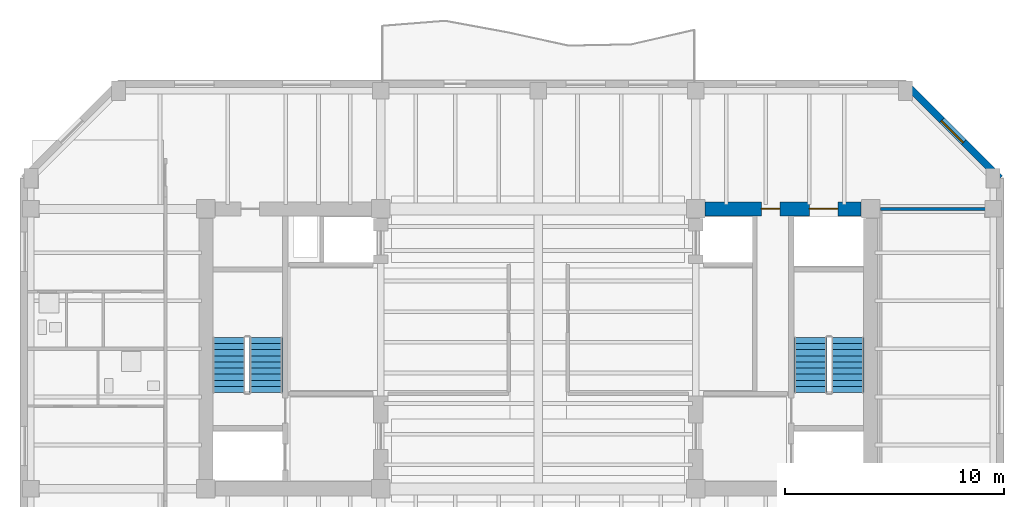
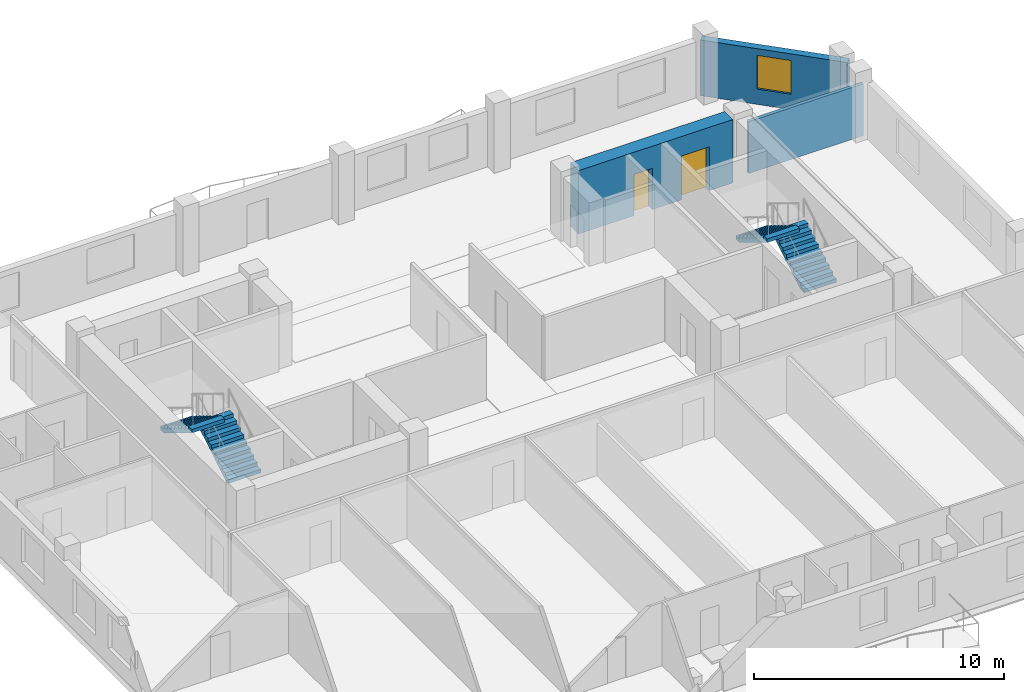
# One storey, part 6 of 11: 4 stair flights, 3 walls, 2 doors, 1 window, 3 openings, 2 elements without a shape of their own.
"""IFC4 building model written with IfcOpenShell, lengths in metres."""

from ifc_helpers import new_model, si_unit, direction, frame, frame_2d, origin, place, context, subcontext, project, spatial, polyline, rectangle, outline, extrude, material, layer, layer_set, type_object, element, fill, aggregate, save


model = new_model("IFC4")

# Units and contexts
model_context = context("Model", 3, precision=1e-05, world=origin(), true_north=direction((0.0, 1.0)))
body_context = subcontext(model_context, "Body", "Model", "MODEL_VIEW")
ifc_project = project(units=[si_unit("LENGTHUNIT", "METRE"), si_unit("AREAUNIT", "SQUARE_METRE"), si_unit("VOLUMEUNIT", "CUBIC_METRE"), si_unit("PLANEANGLEUNIT", "RADIAN"), si_unit("MASSUNIT", "GRAM", prefix="KILO")], contexts=[model_context])

# Site, building, storey
site_placement = place(None, origin())
site = spatial("IfcSite", under=ifc_project, at=site_placement, CompositionType="ELEMENT")
building_placement = place(site_placement, origin())
building = spatial("IfcBuilding", under=site, at=building_placement, Name="Kranthara Brick Stack", CompositionType="ELEMENT")
storey_placement = place(building_placement, frame((0.0, 0.0, 217.699951171875)))
storey = spatial("IfcBuildingStorey", under=building, at=storey_placement, Name="L56", CompositionType="ELEMENT", Elevation=217.699951171875)

# Wall, opening, window
ifc_material_1 = material(Name="Warm buff clay brick masonry M15", Category="masonry")
ifc_layer_1 = layer(ifc_material_1, 0.320068359375)
ifc_layer_set_1 = layer_set([ifc_layer_1], Name="Warm buff clay brick masonry M15")
wall_type_1 = type_object("IfcWallType", Name="WL-BRK-UPPR-320", PredefinedType="STANDARD", material=ifc_layer_set_1)
wall_1_placement = place(storey_placement, frame((44.800048828125, 39.320068359375, 0.0), z_axis=(0.0, 0.0, 1.0), x_axis=(0.707106781187, -0.707106781187, 0.0)))
wall_1 = element("IfcWall", 1, at=wall_1_placement, inside=storey, type_object=wall_type_1, Name="L56 Exterior Brick Facade Wall NE 1", PredefinedType="STANDARD", context=body_context, shape_type="SweptSolid", body=[
    extrude(rectangle(XDim=6.109619140625, YDim=0.320068359375, at=frame_2d((3.0546875, 0.0))), origin(), (0.0, 0.0, 1.0), 2.72509765625),
])
opening_1_placement = place(wall_1_placement, frame((2.35498046875, 0.0, 0.75)))
opening_1 = element("IfcOpeningElement", 2, at=opening_1_placement, cuts=wall_1, Name="Opening WN10", PredefinedType="OPENING", context=body_context, shape_type="SweptSolid", body=[
    extrude(rectangle(XDim=1.39990234375, YDim=1.64990234375, at=frame_2d((0.699951171875, 0.824951171875))), frame((0.0, 0.169921875, 0.0), z_axis=(0.0, -1.0, 0.0), x_axis=(1.0, 0.0, 0.0)), (0.0, 0.0, 1.0), 0.340087890625),
])
ifc_material_2 = material(Name="Double-glazed low-E solar control glass", Category="glass")
window_type = type_object("IfcWindowType", Name="WN-CHM-1400x1750", PartitioningType="SINGLE_PANEL", PredefinedType="WINDOW", material=ifc_material_2)
window_placement = place(opening_1_placement, origin())
window = element("IfcWindow", 3, at=window_placement, inside=storey, type_object=window_type, Name="L56 NE Chamfer Corner Window", OverallHeight=1.64990234375, OverallWidth=1.39990234375, PartitioningType="SINGLE_PANEL", PredefinedType="WINDOW", context=body_context, shape_type="SweptSolid", body=[
    extrude(rectangle(XDim=1.39990234375, YDim=1.64990234375, at=frame_2d((0.699951171875, 0.824951171875))), frame((0.0, -0.010009765625, 0.0), z_axis=(0.0, -1.0, 0.0), x_axis=(1.0, 0.0, 0.0)), (0.0, 0.0, 1.0), 0.06005859375),
])
fill(opening_1, window)

# Wall, openings, doors
ifc_material_3 = material(Name="Concrete C60/75", Category="concrete")
ifc_layer_2 = layer(ifc_material_3, 0.64990234375)
ifc_layer_set_2 = layer_set([ifc_layer_2], Name="Concrete C60/75")
wall_type_2 = type_object("IfcWallType", Name="WL-CORE-650", PredefinedType="SHEAR", material=ifc_layer_set_2)
wall_2_placement = place(storey_placement, frame((35.6298828125, 33.60009765625, 0.0), z_axis=(0.0, 0.0, 1.0), x_axis=(1.0, 0.0, 0.0)))
wall_2 = element("IfcWall", 4, at=wall_2_placement, inside=storey, type_object=wall_type_2, Name="L56 East Core Shear Wall North", PredefinedType="SHEAR", context=body_context, shape_type="SweptSolid", body=[
    extrude(rectangle(XDim=7.14013671875, YDim=0.64990234375, at=frame_2d((3.570068359375, 0.0))), origin(), (0.0, 0.0, 1.0), 3.10009765625),
])
opening_2_placement = place(wall_2_placement, frame((4.77001953125, 0.0, 0.0)))
opening_2 = element("IfcOpeningElement", 5, at=opening_2_placement, cuts=wall_2, Name="Opening LD03", PredefinedType="OPENING", context=body_context, shape_type="SweptSolid", body=[
    extrude(rectangle(XDim=1.300048828125, YDim=2.14990234375, at=frame_2d((0.64990234375, 1.074951171875))), frame((0.0, 0.3349609375, 0.0), z_axis=(0.0, -1.0, 0.0), x_axis=(1.0, 0.0, 0.0)), (0.0, 0.0, 1.0), 0.669921875),
])
opening_3_placement = place(wall_2_placement, frame((2.570068359375, 0.0, 0.0)))
opening_3 = element("IfcOpeningElement", 6, at=opening_3_placement, cuts=wall_2, Name="Opening D10", PredefinedType="OPENING", context=body_context, shape_type="SweptSolid", body=[
    extrude(rectangle(XDim=0.85009765625, YDim=2.02001953125, at=frame_2d((0.425048828125, 1.010009765625))), frame((0.0, 0.3349609375, 0.0), z_axis=(0.0, -1.0, 0.0), x_axis=(1.0, 0.0, 0.0)), (0.0, 0.0, 1.0), 0.669921875),
])
ifc_material_4 = material(Name="Stainless steel sliding landing door", Category="steel")
door_type_1 = type_object("IfcDoorType", Name="DR-LD-SV1300", OperationType="DOUBLE_DOOR_SLIDING", PredefinedType="DOOR", material=ifc_material_4)
door_1_placement = place(opening_2_placement, origin())
door_1 = element("IfcDoor", 7, at=door_1_placement, inside=storey, type_object=door_type_1, Name="L56 Stretcher Service Lift SV-01 Landing Door", OperationType="DOUBLE_DOOR_SLIDING", OverallHeight=2.14990234375, OverallWidth=1.300048828125, PredefinedType="DOOR", context=body_context, shape_type="SweptSolid", body=[
    extrude(rectangle(XDim=1.300048828125, YDim=2.14990234375, at=frame_2d((0.64990234375, 1.074951171875))), frame((0.0, 0.02490234375, 0.0), z_axis=(0.0, -1.0, 0.0), x_axis=(1.0, 0.0, 0.0)), (0.0, 0.0, 1.0), 0.050048828125),
])
fill(opening_2, door_1)
ifc_material_5 = material(Name="Solid-core hardwood timber leaf in steel frame", Category="steel")
door_type_2 = type_object("IfcDoorType", Name="DR-RSR-850", OperationType="NOTDEFINED", PredefinedType="DOOR", material=ifc_material_5)
door_2_placement = place(opening_3_placement, origin())
door_2 = element("IfcDoor", 8, at=door_2_placement, inside=storey, type_object=door_type_2, Name="L56 East Core Service Room Door", OperationType="SINGLE_SWING_LEFT", OverallHeight=2.02001953125, OverallWidth=0.85009765625, PredefinedType="DOOR", context=body_context, shape_type="SweptSolid", body=[
    extrude(rectangle(XDim=0.85009765625, YDim=2.02001953125, at=frame_2d((0.425048828125, 1.010009765625))), frame((0.0, 0.02490234375, 0.0), z_axis=(0.0, -1.0, 0.0), x_axis=(1.0, 0.0, 0.0)), (0.0, 0.0, 1.0), 0.050048828125),
])
fill(opening_3, door_2)

# Wall
ifc_material_6 = material(Name="Fire-rated gypsum board partition", Category="other")
ifc_layer_3 = layer(ifc_material_6, 0.14990234375)
ifc_layer_set_3 = layer_set([ifc_layer_3], Name="Fire-rated gypsum board partition")
wall_type_3 = type_object("IfcWallType", Name="WL-PART-150", PredefinedType="PARTITIONING", material=ifc_layer_set_3)
wall_3_placement = place(storey_placement, frame((43.64990234375, 33.60009765625, 0.0), z_axis=(0.0, 0.0, 1.0), x_axis=(1.0, 0.0, 0.0)))
element("IfcWall", 9, at=wall_3_placement, inside=storey, type_object=wall_type_3, Name="L56 Interior Partition 037", PredefinedType="PARTITIONING", context=body_context, shape_type="SweptSolid", body=[
    extrude(rectangle(XDim=5.30517578125, YDim=0.14990234375, at=frame_2d((2.652587890625, 0.0))), origin(), (0.0, 0.0, 1.0), 2.53515625),
])

# Stair, stair flights
ifc_material_7 = material(Name="Concrete C45/55", Category="concrete")
stair_type = type_object("IfcStairType", Name="ST-CORE-20R", PredefinedType="HALF_TURN_STAIR", material=ifc_material_7)
stair_1_placement = place(storey_placement, origin())
stair_1 = element("IfcStair", 10, at=stair_1_placement, inside=storey, type_object=stair_type, Name="L56 West Core Protected Exit Stair ST01", PredefinedType="HALF_TURN_STAIR")
ifc_material_8 = material(Name="Concrete C45/55", Category="concrete")
stair_flight_type = type_object("IfcStairFlightType", Name="SFL-RC-20R", PredefinedType="STRAIGHT", material=ifc_material_8)
stair_flight_1_placement = place(storey_placement, frame((15.550048828125, 25.199951171875, 0.0), z_axis=(0.0, 0.0, 1.0), x_axis=(0.0, 1.0, 0.0)))
stair_flight_1 = element("IfcStairFlight", 11, at=stair_flight_1_placement, type_object=stair_flight_type, Name="ST01 flight 1", NumberOfRisers=10, NumberOfTreads=9, PredefinedType="STRAIGHT", RiserHeight=0.17, TreadLength=0.28, context=body_context, shape_type="SweptSolid", body=[
    extrude(outline(polyline([(0.0, 0.0), (0.0, 0.169921875), (0.280029296875, 0.169921875), (0.280029296875, 0.340087890625), (0.56005859375, 0.340087890625), (0.56005859375, 0.510009765625), (0.840087890625, 0.510009765625), (0.840087890625, 0.679931640625), (1.1201171875, 0.679931640625), (1.1201171875, 0.85009765625), (1.39990234375, 0.85009765625), (1.39990234375, 1.02001953125), (1.679931640625, 1.02001953125), (1.679931640625, 1.18994140625), (1.9599609375, 1.18994140625), (1.9599609375, 1.360107421875), (2.239990234375, 1.360107421875), (2.239990234375, 1.530029296875), (2.52001953125, 1.530029296875), (2.52001953125, 1.699951171875), (2.52001953125, 1.354736328125), (0.288818359375, 0.0), (0.0, 0.0)])), frame((0.0, 0.75, 0.0), z_axis=(0.0, -1.0, 0.0), x_axis=(1.0, 0.0, 0.0)), (0.0, 0.0, 1.0), 1.5),
])
stair_flight_2_placement = place(storey_placement, frame((13.85009765625, 27.719970703125, 1.699951171875), z_axis=(0.0, 0.0, 1.0), x_axis=(0.0, -1.0, 0.0)))
stair_flight_2 = element("IfcStairFlight", 12, at=stair_flight_2_placement, type_object=stair_flight_type, Name="ST01 flight 2", NumberOfRisers=10, NumberOfTreads=9, PredefinedType="STRAIGHT", RiserHeight=0.17, TreadLength=0.28, context=body_context, shape_type="SweptSolid", body=[
    extrude(outline(polyline([(0.0, 0.0), (0.0, 0.169921875), (0.280029296875, 0.169921875), (0.280029296875, 0.340087890625), (0.56005859375, 0.340087890625), (0.56005859375, 0.510009765625), (0.840087890625, 0.510009765625), (0.840087890625, 0.679931640625), (1.1201171875, 0.679931640625), (1.1201171875, 0.85009765625), (1.39990234375, 0.85009765625), (1.39990234375, 1.02001953125), (1.679931640625, 1.02001953125), (1.679931640625, 1.18994140625), (1.9599609375, 1.18994140625), (1.9599609375, 1.360107421875), (2.239990234375, 1.360107421875), (2.239990234375, 1.530029296875), (2.52001953125, 1.530029296875), (2.52001953125, 1.699951171875), (2.52001953125, 1.354736328125), (0.288818359375, 0.0), (0.0, 0.0)])), frame((0.0, 0.75, 0.0), z_axis=(0.0, -1.0, 0.0), x_axis=(1.0, 0.0, 0.0)), (0.0, 0.0, 1.0), 1.5),
])
aggregate(stair_1, [stair_flight_1, stair_flight_2])

stair_2_placement = place(storey_placement, origin())
stair_2 = element("IfcStair", 13, at=stair_2_placement, inside=storey, type_object=stair_type, Name="L56 East Core Protected Exit Stair ST02", PredefinedType="HALF_TURN_STAIR")
stair_flight_3_placement = place(storey_placement, frame((42.14990234375, 25.199951171875, 0.0), z_axis=(0.0, 0.0, 1.0), x_axis=(0.0, 1.0, 0.0)))
stair_flight_3 = element("IfcStairFlight", 14, at=stair_flight_3_placement, type_object=stair_flight_type, Name="ST02 flight 1", NumberOfRisers=10, NumberOfTreads=9, PredefinedType="STRAIGHT", RiserHeight=0.17, TreadLength=0.28, context=body_context, shape_type="SweptSolid", body=[
    extrude(outline(polyline([(0.0, 0.0), (0.0, 0.169921875), (0.280029296875, 0.169921875), (0.280029296875, 0.340087890625), (0.56005859375, 0.340087890625), (0.56005859375, 0.510009765625), (0.840087890625, 0.510009765625), (0.840087890625, 0.679931640625), (1.1201171875, 0.679931640625), (1.1201171875, 0.85009765625), (1.39990234375, 0.85009765625), (1.39990234375, 1.02001953125), (1.679931640625, 1.02001953125), (1.679931640625, 1.18994140625), (1.9599609375, 1.18994140625), (1.9599609375, 1.360107421875), (2.239990234375, 1.360107421875), (2.239990234375, 1.530029296875), (2.52001953125, 1.530029296875), (2.52001953125, 1.699951171875), (2.52001953125, 1.354736328125), (0.288818359375, 0.0), (0.0, 0.0)])), frame((0.0, 0.75, 0.0), z_axis=(0.0, -1.0, 0.0), x_axis=(1.0, 0.0, 0.0)), (0.0, 0.0, 1.0), 1.5),
])
stair_flight_4_placement = place(storey_placement, frame((40.449951171875, 27.719970703125, 1.699951171875), z_axis=(0.0, 0.0, 1.0), x_axis=(0.0, -1.0, 0.0)))
stair_flight_4 = element("IfcStairFlight", 15, at=stair_flight_4_placement, type_object=stair_flight_type, Name="ST02 flight 2", NumberOfRisers=10, NumberOfTreads=9, PredefinedType="STRAIGHT", RiserHeight=0.17, TreadLength=0.28, context=body_context, shape_type="SweptSolid", body=[
    extrude(outline(polyline([(0.0, 0.0), (0.0, 0.169921875), (0.280029296875, 0.169921875), (0.280029296875, 0.340087890625), (0.56005859375, 0.340087890625), (0.56005859375, 0.510009765625), (0.840087890625, 0.510009765625), (0.840087890625, 0.679931640625), (1.1201171875, 0.679931640625), (1.1201171875, 0.85009765625), (1.39990234375, 0.85009765625), (1.39990234375, 1.02001953125), (1.679931640625, 1.02001953125), (1.679931640625, 1.18994140625), (1.9599609375, 1.18994140625), (1.9599609375, 1.360107421875), (2.239990234375, 1.360107421875), (2.239990234375, 1.530029296875), (2.52001953125, 1.530029296875), (2.52001953125, 1.699951171875), (2.52001953125, 1.354736328125), (0.288818359375, 0.0), (0.0, 0.0)])), frame((0.0, 0.75, 0.0), z_axis=(0.0, -1.0, 0.0), x_axis=(1.0, 0.0, 0.0)), (0.0, 0.0, 1.0), 1.5),
])
aggregate(stair_2, [stair_flight_3, stair_flight_4])

save(model, "model.ifc")
